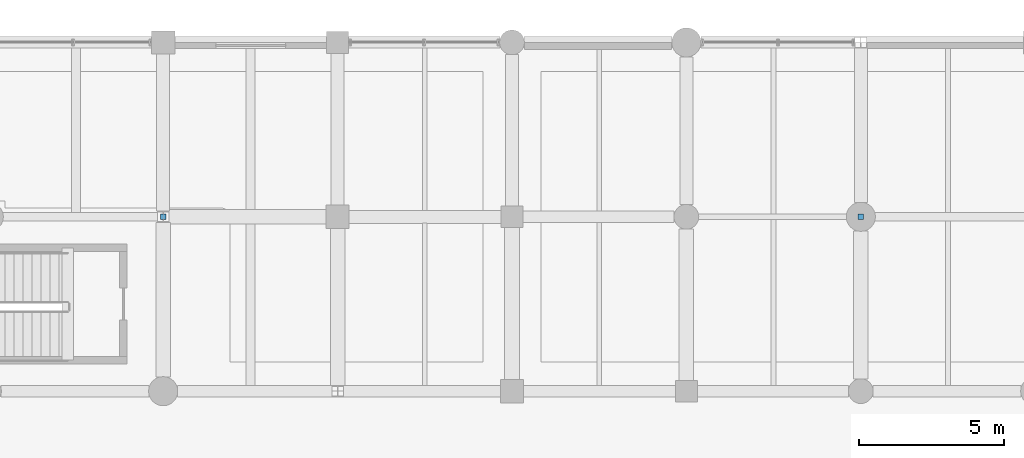
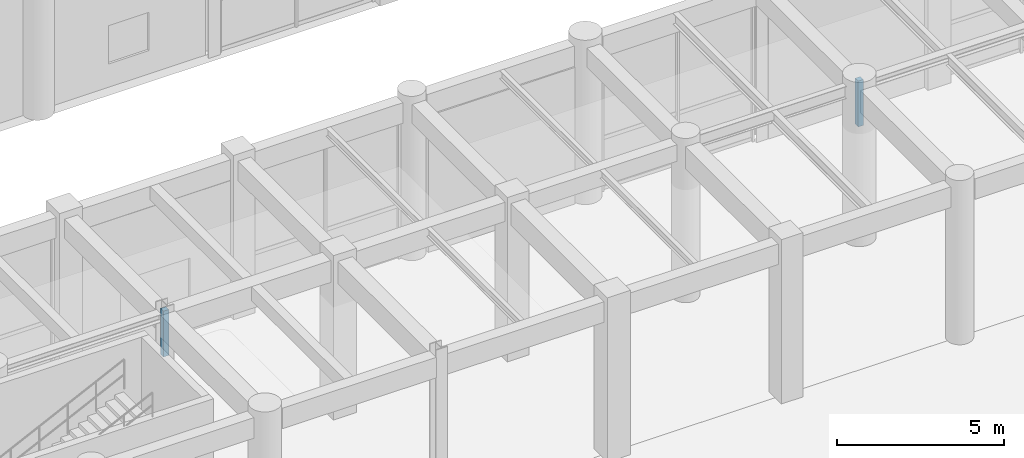
# One storey, part 96 of 106: 2 discrete accessories.
"""IFC4 building model written with IfcOpenShell, lengths in metres."""

from ifc_helpers import new_model, si_unit, direction, frame, origin, origin_2d, place, context, subcontext, project, spatial, rectangle, extrude, material, type_object, element, save


model = new_model("IFC4")

# Units and contexts
model_context = context("Model", 3, precision=1e-05, world=origin(), true_north=direction((0.0, 1.0)))
body_context = subcontext(model_context, "Body", "Model", "MODEL_VIEW")
ifc_project = project(units=[si_unit("LENGTHUNIT", "METRE"), si_unit("AREAUNIT", "SQUARE_METRE"), si_unit("VOLUMEUNIT", "CUBIC_METRE"), si_unit("PLANEANGLEUNIT", "RADIAN"), si_unit("MASSUNIT", "GRAM", prefix="KILO"), si_unit("THERMODYNAMICTEMPERATUREUNIT", "KELVIN"), si_unit("POWERUNIT", "WATT")], contexts=[model_context])

# Site, building, storey
site_placement = place(None, origin())
site = spatial("IfcSite", under=ifc_project, at=site_placement, CompositionType="ELEMENT")
building_placement = place(site_placement, origin())
building = spatial("IfcBuilding", under=site, at=building_placement, Name="Phaisarnlok Congress Hotel", CompositionType="ELEMENT")
storey_placement = place(building_placement, origin())
storey = spatial("IfcBuildingStorey", under=building, at=storey_placement, Name="L00", CompositionType="ELEMENT", Elevation=0.0)

# Discrete accessories
ifc_material = material(Name="Steel S355", Category="steel")
discrete_accessory_type = type_object("IfcDiscreteAccessoryType", Name="ACC-HNG-STL", PredefinedType="BRACKET", material=ifc_material)
for number, where, z_axis, x_axis, name in (
    (1, (84.0, 90.0, 4.10498046875), (0.0, 0.0, 1.0), (1.0, 0.0, 0.0), "Acoustic ceiling steel suspension hanger BK-01"),
    (2, (108.0, 90.0, 4.10498046875), (0.0, 0.0, 1.0), (1.0, 0.0, 0.0), "Acoustic ceiling steel suspension hanger BK-01"),
):
    element("IfcDiscreteAccessory", number, at=place(storey_placement, frame(where, z_axis=z_axis, x_axis=x_axis)), inside=storey, type_object=discrete_accessory_type, Name=name, PredefinedType="BRACKET", context=body_context, shape_type="SweptSolid", body=[
        extrude(rectangle(XDim=0.179931640625, YDim=0.179931640625, at=origin_2d()), origin(), (0.0, 0.0, 1.0), 1.675048828125),
    ])

save(model, "model.ifc")
